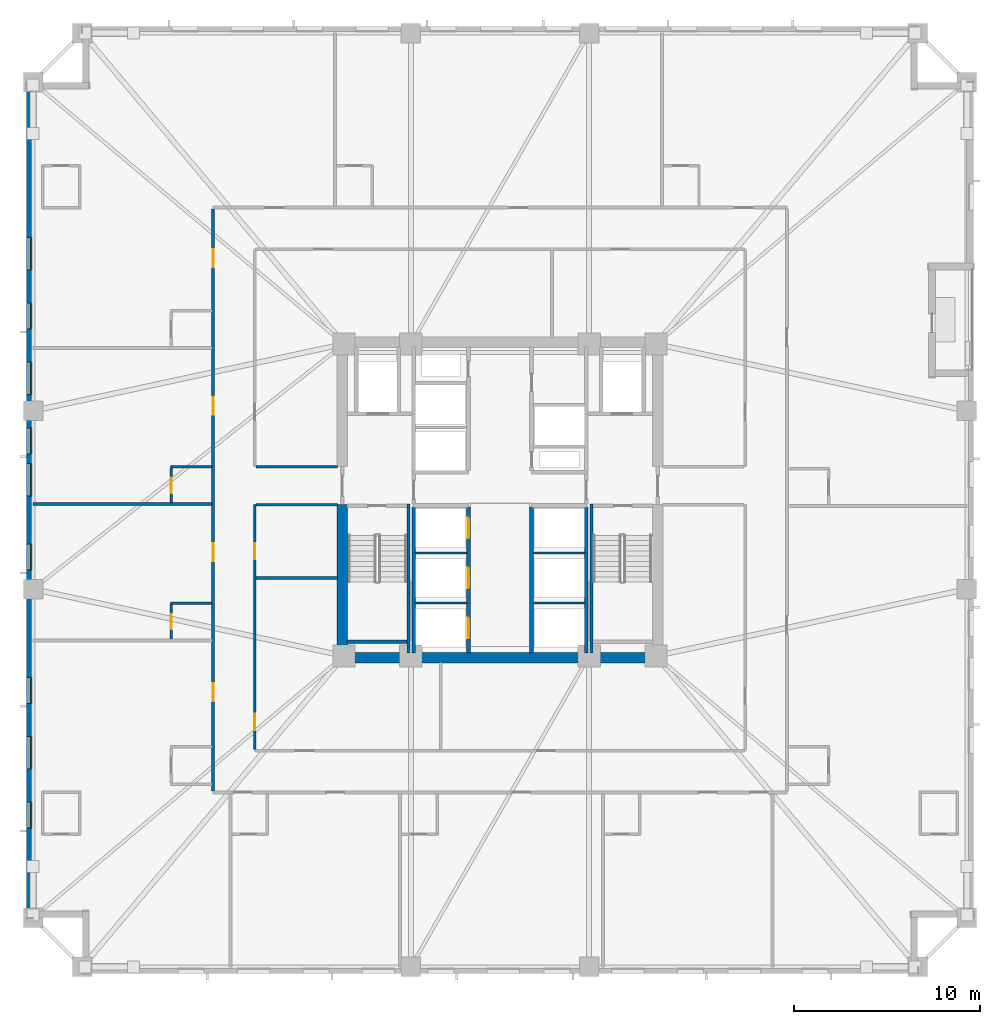
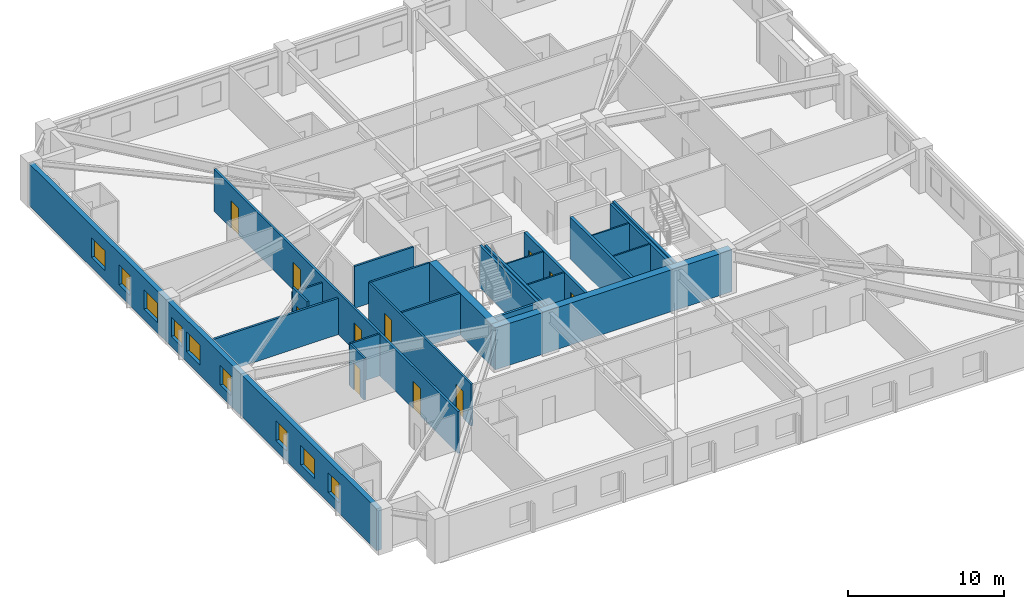
# One storey, part 3 of 12: 24 walls, 11 doors, 9 windows, 20 openings.
"""IFC4 building model written with IfcOpenShell, lengths in metres."""

from ifc_helpers import new_model, si_unit, direction, frame, frame_2d, origin, place, context, subcontext, project, spatial, rectangle, extrude, material, layer, layer_set, type_object, element, fill, save


model = new_model("IFC4")

# Units and contexts
model_context = context("Model", 3, precision=1e-05, world=origin(), true_north=direction((0.0, 1.0)))
body_context = subcontext(model_context, "Body", "Model", "MODEL_VIEW")
ifc_project = project(units=[si_unit("LENGTHUNIT", "METRE"), si_unit("AREAUNIT", "SQUARE_METRE"), si_unit("VOLUMEUNIT", "CUBIC_METRE"), si_unit("PLANEANGLEUNIT", "RADIAN"), si_unit("MASSUNIT", "GRAM", prefix="KILO")], contexts=[model_context])

# Site, building, storey
site_placement = place(None, origin())
site = spatial("IfcSite", under=ifc_project, at=site_placement, CompositionType="ELEMENT")
building_placement = place(site_placement, origin())
building = spatial("IfcBuilding", under=site, at=building_placement, Name="Cairnveth Concourse Tower", CompositionType="ELEMENT")
storey_placement = place(building_placement, frame((0.0, 0.0, 83.0)))
storey = spatial("IfcBuildingStorey", under=building, at=storey_placement, Name="L22", CompositionType="ELEMENT", Elevation=83.0)

# Wall, openings, doors
ifc_material_1 = material(Name="Gypsum Plasterboard Partition", Category="gypsum")
ifc_layer_1 = layer(ifc_material_1, 0.159912109375)
ifc_layer_set_1 = layer_set([ifc_layer_1], Name="Gypsum Plasterboard Partition")
wall_type_1 = type_object("IfcWallType", Name="ACOUSTIC PARTY WALL 180", PredefinedType="PARTITIONING", material=ifc_layer_set_1)
wall_1_placement = place(storey_placement, frame((36.550048828125, 23.31494140625, 0.0), z_axis=(0.0, 0.0, 1.0), x_axis=(0.0, 1.0, 0.0)))
wall_1 = element("IfcWall", 1, at=wall_1_placement, inside=storey, type_object=wall_type_1, Name="Interior Wall IW-L22-039", PredefinedType="PARTITIONING", context=body_context, shape_type="SweptSolid", body=[
    extrude(rectangle(XDim=31.3701171875, YDim=0.159912109375, at=frame_2d((15.68505859375, 0.0))), origin(), (0.0, 0.0, 1.0), 3.280029296875),
])
opening_1_placement = place(wall_1_placement, frame((4.848388671875, 0.0, 0.0)))
opening_1 = element("IfcOpeningElement", 2, at=opening_1_placement, cuts=wall_1, Name="Opening ID09", PredefinedType="OPENING", context=body_context, shape_type="SweptSolid", body=[
    extrude(rectangle(XDim=0.9599609375, YDim=2.14990234375, at=frame_2d((0.47998046875, 1.074951171875))), frame((0.0, 0.08984375, 0.0), z_axis=(0.0, -1.0, 0.0), x_axis=(1.0, 0.0, 0.0)), (0.0, 0.0, 1.0), 0.179931640625),
])
opening_2_placement = place(wall_1_placement, frame((12.390380859375, 0.0, 0.0)))
opening_2 = element("IfcOpeningElement", 3, at=opening_2_placement, cuts=wall_1, Name="Opening ID09", PredefinedType="OPENING", context=body_context, shape_type="SweptSolid", body=[
    extrude(rectangle(XDim=0.9599609375, YDim=2.14990234375, at=frame_2d((0.47998046875, 1.074951171875))), frame((0.0, 0.08984375, 0.0), z_axis=(0.0, -1.0, 0.0), x_axis=(1.0, 0.0, 0.0)), (0.0, 0.0, 1.0), 0.179931640625),
])
opening_3_placement = place(wall_1_placement, frame((20.265380859375, 0.0, 0.0)))
opening_3 = element("IfcOpeningElement", 4, at=opening_3_placement, cuts=wall_1, Name="Opening ID09", PredefinedType="OPENING", context=body_context, shape_type="SweptSolid", body=[
    extrude(rectangle(XDim=0.9599609375, YDim=2.14990234375, at=frame_2d((0.47998046875, 1.074951171875))), frame((0.0, 0.08984375, 0.0), z_axis=(0.0, -1.0, 0.0), x_axis=(1.0, 0.0, 0.0)), (0.0, 0.0, 1.0), 0.179931640625),
])
opening_4_placement = place(wall_1_placement, frame((28.223388671875, 0.0, 0.0)))
opening_4 = element("IfcOpeningElement", 5, at=opening_4_placement, cuts=wall_1, Name="Opening ID09", PredefinedType="OPENING", context=body_context, shape_type="SweptSolid", body=[
    extrude(rectangle(XDim=0.9599609375, YDim=2.14990234375, at=frame_2d((0.47998046875, 1.074951171875))), frame((0.0, 0.08984375, 0.0), z_axis=(0.0, -1.0, 0.0), x_axis=(1.0, 0.0, 0.0)), (0.0, 0.0, 1.0), 0.179931640625),
])
ifc_material_2 = material(Name="Solid Core Hardwood Timber Leaf", Category="wood")
door_type_1 = type_object("IfcDoorType", Name="HOTEL ENTRANCE DOOR 960X2150", OperationType="NOTDEFINED", PredefinedType="DOOR", material=ifc_material_2)
door_1_placement = place(opening_1_placement, origin())
door_1 = element("IfcDoor", 6, at=door_1_placement, inside=storey, type_object=door_type_1, Name="Hotel Room Door L22-W1", OperationType="SINGLE_SWING_LEFT", OverallHeight=2.14990234375, OverallWidth=0.9599609375, PredefinedType="DOOR", context=body_context, shape_type="SweptSolid", body=[
    extrude(rectangle(XDim=0.9599609375, YDim=2.14990234375, at=frame_2d((0.47998046875, 1.074951171875))), frame((0.0, 0.02490234375, 0.0), z_axis=(0.0, -1.0, 0.0), x_axis=(1.0, 0.0, 0.0)), (0.0, 0.0, 1.0), 0.050048828125),
])
fill(opening_1, door_1)
door_2_placement = place(opening_2_placement, origin())
door_2 = element("IfcDoor", 7, at=door_2_placement, inside=storey, type_object=door_type_1, Name="Hotel Room Door L22-W2", OperationType="SINGLE_SWING_LEFT", OverallHeight=2.14990234375, OverallWidth=0.9599609375, PredefinedType="DOOR", context=body_context, shape_type="SweptSolid", body=[
    extrude(rectangle(XDim=0.9599609375, YDim=2.14990234375, at=frame_2d((0.47998046875, 1.074951171875))), frame((0.0, 0.02490234375, 0.0), z_axis=(0.0, -1.0, 0.0), x_axis=(1.0, 0.0, 0.0)), (0.0, 0.0, 1.0), 0.050048828125),
])
fill(opening_2, door_2)
door_3_placement = place(opening_3_placement, origin())
door_3 = element("IfcDoor", 8, at=door_3_placement, inside=storey, type_object=door_type_1, Name="Hotel Room Door L22-W3", OperationType="SINGLE_SWING_LEFT", OverallHeight=2.14990234375, OverallWidth=0.9599609375, PredefinedType="DOOR", context=body_context, shape_type="SweptSolid", body=[
    extrude(rectangle(XDim=0.9599609375, YDim=2.14990234375, at=frame_2d((0.47998046875, 1.074951171875))), frame((0.0, 0.02490234375, 0.0), z_axis=(0.0, -1.0, 0.0), x_axis=(1.0, 0.0, 0.0)), (0.0, 0.0, 1.0), 0.050048828125),
])
fill(opening_3, door_3)
door_4_placement = place(opening_4_placement, origin())
door_4 = element("IfcDoor", 9, at=door_4_placement, inside=storey, type_object=door_type_1, Name="Hotel Room Door L22-W4", OperationType="SINGLE_SWING_LEFT", OverallHeight=2.14990234375, OverallWidth=0.9599609375, PredefinedType="DOOR", context=body_context, shape_type="SweptSolid", body=[
    extrude(rectangle(XDim=0.9599609375, YDim=2.14990234375, at=frame_2d((0.47998046875, 1.074951171875))), frame((0.0, 0.02490234375, 0.0), z_axis=(0.0, -1.0, 0.0), x_axis=(1.0, 0.0, 0.0)), (0.0, 0.0, 1.0), 0.050048828125),
])
fill(opening_4, door_4)

# Walls
wall_2_placement = place(storey_placement, frame((26.844970703125, 38.783935546875, 0.0), z_axis=(0.0, 0.0, 1.0), x_axis=(1.0, 0.0, 0.0)))
element("IfcWall", 10, at=wall_2_placement, inside=storey, type_object=wall_type_1, Name="Interior Wall IW-L22-088", PredefinedType="PARTITIONING", context=body_context, shape_type="SweptSolid", body=[
    extrude(rectangle(XDim=9.64013671875, YDim=0.159912109375, at=frame_2d((4.820068359375, 0.0))), origin(), (0.0, 0.0, 1.0), 2.84912109375),
])
ifc_material_3 = material(Name="Concrete N80 (80 MPa)", Category="concrete")
ifc_layer_2 = layer(ifc_material_3, 0.550048828125)
ifc_layer_set_2 = layer_set([ifc_layer_2], Name="Concrete N80 (80 MPa)")
wall_type_2 = type_object("IfcWallType", Name="CORE SHEAR WALL 550", PredefinedType="SHEAR", material=ifc_layer_set_2)
wall_3_placement = place(storey_placement, frame((43.22509765625, 30.5, 0.0), z_axis=(0.0, 0.0, 1.0), x_axis=(1.0, 0.0, 0.0)))
element("IfcWall", 11, at=wall_3_placement, inside=storey, type_object=wall_type_2, Name="Core South Shear Wall L22", PredefinedType="SHEAR", context=body_context, shape_type="SweptSolid", body=[
    extrude(rectangle(XDim=17.5498046875, YDim=0.550048828125, at=frame_2d((8.77490234375, 0.0))), origin(), (0.0, 0.0, 1.0), 3.280029296875),
])
wall_4_placement = place(storey_placement, frame((43.5, 30.764892578125, 0.0), z_axis=(0.0, 0.0, 1.0), x_axis=(0.0, 1.0, 0.0)))
element("IfcWall", 12, at=wall_4_placement, inside=storey, type_object=wall_type_2, Name="Core West Shear Wall S L22", PredefinedType="SHEAR", context=body_context, shape_type="SweptSolid", body=[
    extrude(rectangle(XDim=7.985107421875, YDim=0.550048828125, at=frame_2d((3.99267578125, 0.0))), origin(), (0.0, 0.0, 1.0), 3.280029296875),
])
ifc_material_4 = material(Name="Concrete N50 (50 MPa)", Category="concrete")
ifc_layer_3 = layer(ifc_material_4, 0.179931640625)
ifc_layer_set_3 = layer_set([ifc_layer_3], Name="Concrete N50 (50 MPa)")
wall_type_3 = type_object("IfcWallType", Name="FIRE SHAFT WALL 180", PredefinedType="SOLIDWALL", material=ifc_layer_set_3)
for number, where, z_axis, x_axis, name in (
    (13, (47.35009765625, 30.760009765625, 0.0), (0.0, 0.0, 1.0), (0.0, 1.0, 0.0), "Interior Wall IW-L22-025"),
    (14, (56.64990234375, 30.760009765625, 0.0), (0.0, 0.0, 1.0), (0.0, 1.0, 0.0), "Interior Wall IW-L22-028"),
):
    element("IfcWall", number, at=place(storey_placement, frame(where, z_axis=z_axis, x_axis=x_axis)), inside=storey, type_object=wall_type_3, Name=name, PredefinedType="SOLIDWALL", context=body_context, shape_type="SweptSolid", body=[
        extrude(rectangle(XDim=7.85498046875, YDim=0.179931640625, at=frame_2d((3.927490234375, 0.0))), origin(), (0.0, 0.0, 1.0), 3.280029296875),
    ])
wall_5_placement = place(storey_placement, frame((43.764892578125, 31.360107421875, 0.0), z_axis=(0.0, 0.0, 1.0), x_axis=(1.0, 0.0, 0.0)))
element("IfcWall", 15, at=wall_5_placement, inside=storey, type_object=wall_type_3, Name="Stair ST-1 Shaft Wall FAR L22", PredefinedType="SOLIDWALL", context=body_context, shape_type="SweptSolid", body=[
    extrude(rectangle(XDim=3.230224609375, YDim=0.179931640625, at=frame_2d((1.615234375, 0.0))), origin(), (0.0, 0.0, 1.0), 3.280029296875),
])
for number, where, z_axis, x_axis, name in (
    (16, (47.070068359375, 38.780029296875, 0.0), (0.0, 0.0, 1.0), (0.0, -1.0, 0.0), "Stair ST-1 Shaft Wall RGHT L22"),
    (17, (56.929931640625, 38.780029296875, 0.0), (0.0, 0.0, 1.0), (0.0, -1.0, 0.0), "Stair ST-2 Shaft Wall LEFT L22"),
):
    element("IfcWall", number, at=place(storey_placement, frame(where, z_axis=z_axis, x_axis=x_axis)), inside=storey, type_object=wall_type_3, Name=name, PredefinedType="SOLIDWALL", context=body_context, shape_type="SweptSolid", body=[
        extrude(rectangle(XDim=8.01708984375, YDim=0.179931640625, at=frame_2d((4.008544921875, 0.0))), origin(), (0.0, 0.0, 1.0), 3.280029296875),
    ])

# Wall, openings, doors
ifc_layer_4 = layer(ifc_material_4, 0.199951171875)
ifc_layer_set_4 = layer_set([ifc_layer_4], Name="Concrete N50 (50 MPa)")
wall_type_4 = type_object("IfcWallType", Name="FIRE SHAFT WALL 200", PredefinedType="SOLIDWALL", material=ifc_layer_set_4)
wall_6_placement = place(storey_placement, frame((50.300048828125, 30.760009765625, 0.0), z_axis=(0.0, 0.0, 1.0), x_axis=(0.0, 1.0, 0.0)))
wall_6 = element("IfcWall", 18, at=wall_6_placement, inside=storey, type_object=wall_type_4, Name="Interior Wall IW-L22-011", PredefinedType="SOLIDWALL", context=body_context, shape_type="SweptSolid", body=[
    extrude(rectangle(XDim=7.85498046875, YDim=0.199951171875, at=frame_2d((3.927490234375, 0.0))), origin(), (0.0, 0.0, 1.0), 3.280029296875),
])
opening_5_placement = place(wall_6_placement, frame((0.7900390625, 0.0, 0.0)))
opening_5 = element("IfcOpeningElement", 19, at=opening_5_placement, cuts=wall_6, Name="Opening LD-1", PredefinedType="OPENING", context=body_context, shape_type="SweptSolid", body=[
    extrude(rectangle(XDim=1.10009765625, YDim=2.199951171875, at=frame_2d((0.550048828125, 1.10009765625))), frame((0.0, 0.10986328125, 0.0), z_axis=(0.0, -1.0, 0.0), x_axis=(1.0, 0.0, 0.0)), (0.0, 0.0, 1.0), 0.219970703125),
])
opening_6_placement = place(wall_6_placement, frame((3.489990234375, 0.0, 0.0)))
opening_6 = element("IfcOpeningElement", 20, at=opening_6_placement, cuts=wall_6, Name="Opening LD-1", PredefinedType="OPENING", context=body_context, shape_type="SweptSolid", body=[
    extrude(rectangle(XDim=1.10009765625, YDim=2.199951171875, at=frame_2d((0.550048828125, 1.10009765625))), frame((0.0, 0.10986328125, 0.0), z_axis=(0.0, -1.0, 0.0), x_axis=(1.0, 0.0, 0.0)), (0.0, 0.0, 1.0), 0.219970703125),
])
opening_7_placement = place(wall_6_placement, frame((6.18994140625, 0.0, 0.0)))
opening_7 = element("IfcOpeningElement", 21, at=opening_7_placement, cuts=wall_6, Name="Opening LD-1", PredefinedType="OPENING", context=body_context, shape_type="SweptSolid", body=[
    extrude(rectangle(XDim=1.10009765625, YDim=2.199951171875, at=frame_2d((0.550048828125, 1.10009765625))), frame((0.0, 0.10986328125, 0.0), z_axis=(0.0, -1.0, 0.0), x_axis=(1.0, 0.0, 0.0)), (0.0, 0.0, 1.0), 0.219970703125),
])
ifc_material_5 = material(Name="Architectural Bronze Anodised Aluminium 6063-T6", Category="aluminium")
door_type_2 = type_object("IfcDoorType", Name="LIFT LANDING DOOR 1100X2200", OperationType="SLIDING_TO_LEFT", PredefinedType="DOOR", material=ifc_material_5)
door_5_placement = place(opening_5_placement, origin())
door_5 = element("IfcDoor", 22, at=door_5_placement, inside=storey, type_object=door_type_2, Name="Lift PL1 Landing Door L22", OperationType="SLIDING_TO_LEFT", OverallHeight=2.199951171875, OverallWidth=1.10009765625, PredefinedType="DOOR", context=body_context, shape_type="SweptSolid", body=[
    extrude(rectangle(XDim=1.10009765625, YDim=2.199951171875, at=frame_2d((0.550048828125, 1.10009765625))), frame((0.0, 0.02490234375, 0.0), z_axis=(0.0, -1.0, 0.0), x_axis=(1.0, 0.0, 0.0)), (0.0, 0.0, 1.0), 0.050048828125),
])
fill(opening_5, door_5)
door_6_placement = place(opening_6_placement, origin())
door_6 = element("IfcDoor", 23, at=door_6_placement, inside=storey, type_object=door_type_2, Name="Lift PL2 Landing Door L22", OperationType="SLIDING_TO_LEFT", OverallHeight=2.199951171875, OverallWidth=1.10009765625, PredefinedType="DOOR", context=body_context, shape_type="SweptSolid", body=[
    extrude(rectangle(XDim=1.10009765625, YDim=2.199951171875, at=frame_2d((0.550048828125, 1.10009765625))), frame((0.0, 0.02490234375, 0.0), z_axis=(0.0, -1.0, 0.0), x_axis=(1.0, 0.0, 0.0)), (0.0, 0.0, 1.0), 0.050048828125),
])
fill(opening_6, door_6)
door_7_placement = place(opening_7_placement, origin())
door_7 = element("IfcDoor", 24, at=door_7_placement, inside=storey, type_object=door_type_2, Name="Lift PL3 Landing Door L22", OperationType="SLIDING_TO_LEFT", OverallHeight=2.199951171875, OverallWidth=1.10009765625, PredefinedType="DOOR", context=body_context, shape_type="SweptSolid", body=[
    extrude(rectangle(XDim=1.10009765625, YDim=2.199951171875, at=frame_2d((0.550048828125, 1.10009765625))), frame((0.0, 0.02490234375, 0.0), z_axis=(0.0, -1.0, 0.0), x_axis=(1.0, 0.0, 0.0)), (0.0, 0.0, 1.0), 0.050048828125),
])
fill(opening_7, door_7)

# Wall
wall_7_placement = place(storey_placement, frame((53.699951171875, 30.760009765625, 0.0), z_axis=(0.0, 0.0, 1.0), x_axis=(0.0, 1.0, 0.0)))
element("IfcWall", 25, at=wall_7_placement, inside=storey, type_object=wall_type_4, Name="Interior Wall IW-L22-012", PredefinedType="SOLIDWALL", context=body_context, shape_type="SweptSolid", body=[
    extrude(rectangle(XDim=7.85498046875, YDim=0.199951171875, at=frame_2d((3.927490234375, 0.0))), origin(), (0.0, 0.0, 1.0), 3.280029296875),
])

# Wall, openings, doors
ifc_layer_5 = layer(ifc_material_1, 0.139892578125)
ifc_layer_set_5 = layer_set([ifc_layer_5], Name="Gypsum Plasterboard Partition")
wall_type_5 = type_object("IfcWallType", Name="GYPSUM STUD PARTITION 140", PredefinedType="PARTITIONING", material=ifc_layer_set_5)
wall_8_placement = place(storey_placement, frame((38.800048828125, 25.554931640625, 0.0), z_axis=(0.0, 0.0, 1.0), x_axis=(0.0, 1.0, 0.0)))
wall_8 = element("IfcWall", 26, at=wall_8_placement, inside=storey, type_object=wall_type_5, Name="Interior Wall IW-L22-043", PredefinedType="PARTITIONING", context=body_context, shape_type="SweptSolid", body=[
    extrude(rectangle(XDim=13.195068359375, YDim=0.139892578125, at=frame_2d((6.59765625, 0.0))), origin(), (0.0, 0.0, 1.0), 3.280029296875),
])
opening_8_placement = place(wall_8_placement, frame((1.044921875, 0.0, 0.0)))
opening_8 = element("IfcOpeningElement", 27, at=opening_8_placement, cuts=wall_8, Name="Opening ID18", PredefinedType="OPENING", context=body_context, shape_type="SweptSolid", body=[
    extrude(rectangle(XDim=0.8798828125, YDim=2.10009765625, at=frame_2d((0.43994140625, 1.050048828125))), frame((0.0, 0.079833984375, 0.0), z_axis=(0.0, -1.0, 0.0), x_axis=(1.0, 0.0, 0.0)), (0.0, 0.0, 1.0), 0.159912109375),
])
opening_9_placement = place(wall_8_placement, frame((10.2451171875, 0.0, 0.0)))
opening_9 = element("IfcOpeningElement", 28, at=opening_9_placement, cuts=wall_8, Name="Opening ID18", PredefinedType="OPENING", context=body_context, shape_type="SweptSolid", body=[
    extrude(rectangle(XDim=0.8798828125, YDim=2.10009765625, at=frame_2d((0.43994140625, 1.050048828125))), frame((0.0, 0.079833984375, 0.0), z_axis=(0.0, -1.0, 0.0), x_axis=(1.0, 0.0, 0.0)), (0.0, 0.0, 1.0), 0.159912109375),
])
door_type_3 = type_object("IfcDoorType", Name="INTERIOR SINGLE DOOR 880X2100", OperationType="NOTDEFINED", PredefinedType="DOOR", material=ifc_material_2)
door_8_placement = place(opening_8_placement, origin())
door_8 = element("IfcDoor", 29, at=door_8_placement, inside=storey, type_object=door_type_3, Name="Interior Door DR-L22-017", OperationType="SINGLE_SWING_LEFT", OverallHeight=2.10009765625, OverallWidth=0.8798828125, PredefinedType="DOOR", context=body_context, shape_type="SweptSolid", body=[
    extrude(rectangle(XDim=0.8798828125, YDim=2.10009765625, at=frame_2d((0.43994140625, 1.050048828125))), frame((0.0, 0.02490234375, 0.0), z_axis=(0.0, -1.0, 0.0), x_axis=(1.0, 0.0, 0.0)), (0.0, 0.0, 1.0), 0.050048828125),
])
fill(opening_8, door_8)
door_9_placement = place(opening_9_placement, origin())
door_9 = element("IfcDoor", 30, at=door_9_placement, inside=storey, type_object=door_type_3, Name="Interior Door DR-L22-018", OperationType="SINGLE_SWING_RIGHT", OverallHeight=2.10009765625, OverallWidth=0.8798828125, PredefinedType="DOOR", context=body_context, shape_type="SweptSolid", body=[
    extrude(rectangle(XDim=0.8798828125, YDim=2.10009765625, at=frame_2d((0.43994140625, 1.050048828125))), frame((0.0, 0.02490234375, 0.0), z_axis=(0.0, -1.0, 0.0), x_axis=(1.0, 0.0, 0.0)), (0.0, 0.0, 1.0), 0.050048828125),
])
fill(opening_9, door_9)

# Walls
for number, where, z_axis, x_axis, name in (
    (31, (38.85498046875, 38.75, 0.0), (0.0, 0.0, 1.0), (1.0, 0.0, 0.0), "Interior Wall IW-L22-045"),
    (32, (38.85498046875, 40.800048828125, 0.0), (0.0, 0.0, 1.0), (1.0, 0.0, 0.0), "Interior Wall IW-L22-046"),
    (33, (38.85498046875, 34.800048828125, 0.0), (0.0, 0.0, 1.0), (1.0, 0.0, 0.0), "Interior Wall IW-L22-053"),
):
    element("IfcWall", number, at=place(storey_placement, frame(where, z_axis=z_axis, x_axis=x_axis)), inside=storey, type_object=wall_type_5, Name=name, PredefinedType="PARTITIONING", context=body_context, shape_type="SweptSolid", body=[
        extrude(rectangle(XDim=4.385009765625, YDim=0.139892578125, at=frame_2d((2.1923828125, 0.0))), origin(), (0.0, 0.0, 1.0), 3.280029296875),
    ])
ifc_layer_6 = layer(ifc_material_1, 0.110107421875)
ifc_layer_set_6 = layer_set([ifc_layer_6], Name="Gypsum Plasterboard Partition")
wall_type_6 = type_object("IfcWallType", Name="SHAFT DIVIDER WALL 140", PredefinedType="PARTITIONING", material=ifc_layer_set_6)
for number, where, z_axis, x_axis, name in (
    (34, (47.425048828125, 33.449951171875, 0.0), (0.0, 0.0, 1.0), (1.0, 0.0, 0.0), "Interior Wall IW-L22-026"),
    (35, (47.425048828125, 36.14990234375, 0.0), (0.0, 0.0, 1.0), (1.0, 0.0, 0.0), "Interior Wall IW-L22-027"),
    (36, (53.784912109375, 33.449951171875, 0.0), (0.0, 0.0, 1.0), (1.0, 0.0, 0.0), "Interior Wall IW-L22-029"),
    (37, (53.784912109375, 36.14990234375, 0.0), (0.0, 0.0, 1.0), (1.0, 0.0, 0.0), "Interior Wall IW-L22-030"),
):
    element("IfcWall", number, at=place(storey_placement, frame(where, z_axis=z_axis, x_axis=x_axis)), inside=storey, type_object=wall_type_6, Name=name, PredefinedType="PARTITIONING", context=body_context, shape_type="SweptSolid", body=[
        extrude(rectangle(XDim=2.7900390625, YDim=0.110107421875, at=frame_2d((1.39501953125, 0.0))), origin(), (0.0, 0.0, 1.0), 3.280029296875),
    ])
ifc_layer_7 = layer(ifc_material_1, 0.1298828125)
ifc_layer_set_7 = layer_set([ifc_layer_7], Name="Gypsum Plasterboard Partition")
wall_type_7 = type_object("IfcWallType", Name="WET AREA PARTITION 140", PredefinedType="PLUMBINGWALL", material=ifc_layer_set_7)
wall_9_placement = place(storey_placement, frame((34.25, 33.43701171875, 0.0), z_axis=(0.0, 0.0, 1.0), x_axis=(1.0, 0.0, 0.0)))
element("IfcWall", 38, at=wall_9_placement, inside=storey, type_object=wall_type_7, Name="Interior Wall IW-L22-086", PredefinedType="PLUMBINGWALL", context=body_context, shape_type="SweptSolid", body=[
    extrude(rectangle(XDim=2.235107421875, YDim=0.1298828125, at=frame_2d((1.11767578125, 0.0))), origin(), (0.0, 0.0, 1.0), 3.280029296875),
])

# Wall, opening, door
wall_10_placement = place(storey_placement, frame((34.300048828125, 31.501953125, 0.0), z_axis=(0.0, 0.0, 1.0), x_axis=(0.0, 1.0, 0.0)))
wall_10 = element("IfcWall", 39, at=wall_10_placement, inside=storey, type_object=wall_type_7, Name="Interior Wall IW-L22-087", PredefinedType="PLUMBINGWALL", context=body_context, shape_type="SweptSolid", body=[
    extrude(rectangle(XDim=1.885009765625, YDim=0.1298828125, at=frame_2d((0.9423828125, 0.0))), origin(), (0.0, 0.0, 1.0), 3.280029296875),
])
opening_10_placement = place(wall_10_placement, frame((0.52490234375, 0.0, 0.0)))
opening_10 = element("IfcOpeningElement", 40, at=opening_10_placement, cuts=wall_10, Name="Opening ID22", PredefinedType="OPENING", context=body_context, shape_type="SweptSolid", body=[
    extrude(rectangle(XDim=0.820068359375, YDim=2.10009765625, at=frame_2d((0.41015625, 1.050048828125))), frame((0.0, 0.074951171875, 0.0), z_axis=(0.0, -1.0, 0.0), x_axis=(1.0, 0.0, 0.0)), (0.0, 0.0, 1.0), 0.14990234375),
])
door_type_4 = type_object("IfcDoorType", Name="INTERIOR WC DOOR 820X2100", OperationType="NOTDEFINED", PredefinedType="DOOR", material=ifc_material_2)
door_10_placement = place(opening_10_placement, origin())
door_10 = element("IfcDoor", 41, at=door_10_placement, inside=storey, type_object=door_type_4, Name="En-Suite Door L22-W2", OperationType="SINGLE_SWING_RIGHT", OverallHeight=2.10009765625, OverallWidth=0.820068359375, PredefinedType="DOOR", context=body_context, shape_type="SweptSolid", body=[
    extrude(rectangle(XDim=0.820068359375, YDim=2.10009765625, at=frame_2d((0.41015625, 1.050048828125))), frame((0.0, 0.02490234375, 0.0), z_axis=(0.0, -1.0, 0.0), x_axis=(1.0, 0.0, 0.0)), (0.0, 0.0, 1.0), 0.050048828125),
])
fill(opening_10, door_10)

# Wall
wall_11_placement = place(storey_placement, frame((34.25, 40.783935546875, 0.0), z_axis=(0.0, 0.0, 1.0), x_axis=(1.0, 0.0, 0.0)))
element("IfcWall", 42, at=wall_11_placement, inside=storey, type_object=wall_type_7, Name="Interior Wall IW-L22-089", PredefinedType="PLUMBINGWALL", context=body_context, shape_type="SweptSolid", body=[
    extrude(rectangle(XDim=2.235107421875, YDim=0.1298828125, at=frame_2d((1.11767578125, 0.0))), origin(), (0.0, 0.0, 1.0), 2.84912109375),
])

# Wall, opening, door
wall_12_placement = place(storey_placement, frame((34.300048828125, 38.84912109375, 0.0), z_axis=(0.0, 0.0, 1.0), x_axis=(0.0, 1.0, 0.0)))
wall_12 = element("IfcWall", 43, at=wall_12_placement, inside=storey, type_object=wall_type_7, Name="Interior Wall IW-L22-090", PredefinedType="PLUMBINGWALL", context=body_context, shape_type="SweptSolid", body=[
    extrude(rectangle(XDim=1.884765625, YDim=0.1298828125, at=frame_2d((0.9423828125, 0.0))), origin(), (0.0, 0.0, 1.0), 3.280029296875),
])
opening_11_placement = place(wall_12_placement, frame((0.52490234375, 0.0, 0.0)))
opening_11 = element("IfcOpeningElement", 44, at=opening_11_placement, cuts=wall_12, Name="Opening ID22", PredefinedType="OPENING", context=body_context, shape_type="SweptSolid", body=[
    extrude(rectangle(XDim=0.820068359375, YDim=2.10009765625, at=frame_2d((0.41015625, 1.050048828125))), frame((0.0, 0.074951171875, 0.0), z_axis=(0.0, -1.0, 0.0), x_axis=(1.0, 0.0, 0.0)), (0.0, 0.0, 1.0), 0.14990234375),
])
door_11_placement = place(opening_11_placement, origin())
door_11 = element("IfcDoor", 45, at=door_11_placement, inside=storey, type_object=door_type_4, Name="En-Suite Door L22-W3", OperationType="SINGLE_SWING_RIGHT", OverallHeight=2.10009765625, OverallWidth=0.820068359375, PredefinedType="DOOR", context=body_context, shape_type="SweptSolid", body=[
    extrude(rectangle(XDim=0.820068359375, YDim=2.10009765625, at=frame_2d((0.41015625, 1.050048828125))), frame((0.0, 0.02490234375, 0.0), z_axis=(0.0, -1.0, 0.0), x_axis=(1.0, 0.0, 0.0)), (0.0, 0.0, 1.0), 0.050048828125),
])
fill(opening_11, door_11)

# Wall, openings, windows
ifc_material_6 = material(Name="Hawthorn Red-Ochre Fired Clay Brick Masonry", Category="masonry")
ifc_layer_8 = layer(ifc_material_6, 0.360107421875)
ifc_layer_set_8 = layer_set([ifc_layer_8], Name="Hawthorn Red-Ochre Fired Clay Brick Masonry")
wall_type_8 = type_object("IfcWallType", Name="ZONE 1 BRICK PIER SPANDREL WALL 360", PredefinedType="SOLIDWALL", material=ifc_layer_set_8)
wall_13_placement = place(storey_placement, frame((26.679931640625, 16.5, 0.0), z_axis=(0.0, 0.0, 1.0), x_axis=(0.0, 1.0, 0.0)))
wall_13 = element("IfcWall", 46, at=wall_13_placement, inside=storey, type_object=wall_type_8, Name="Exterior Wall EW-L22-S06", PredefinedType="SOLIDWALL", context=body_context, shape_type="SweptSolid", body=[
    extrude(rectangle(XDim=44.662109375, YDim=0.360107421875, at=frame_2d((22.3310546875, 0.0))), origin(), (0.0, 0.0, 1.0), 3.280029296875),
])
opening_12_placement = place(wall_13_placement, frame((4.830078125, 0.0, 0.800048828125)))
opening_12 = element("IfcOpeningElement", 47, at=opening_12_placement, cuts=wall_13, Name="Opening W05", PredefinedType="OPENING", context=body_context, shape_type="SweptSolid", body=[
    extrude(rectangle(XDim=1.39990234375, YDim=1.5439453125, at=frame_2d((0.699951171875, 0.77197265625))), frame((0.0, 0.18994140625, 0.0), z_axis=(0.0, -1.0, 0.0), x_axis=(1.0, 0.0, 0.0)), (0.0, 0.0, 1.0), 0.380126953125),
])
opening_13_placement = place(wall_13_placement, frame((8.015380859375, 0.0, 0.800048828125)))
opening_13 = element("IfcOpeningElement", 48, at=opening_13_placement, cuts=wall_13, Name="Opening W06", PredefinedType="OPENING", context=body_context, shape_type="SweptSolid", body=[
    extrude(rectangle(XDim=1.75, YDim=1.5439453125, at=frame_2d((0.875, 0.77197265625))), frame((0.0, 0.18994140625, 0.0), z_axis=(0.0, -1.0, 0.0), x_axis=(1.0, 0.0, 0.0)), (0.0, 0.0, 1.0), 0.380126953125),
])
opening_14_placement = place(wall_13_placement, frame((11.550537109375, 0.0, 0.800048828125)))
opening_14 = element("IfcOpeningElement", 49, at=opening_14_placement, cuts=wall_13, Name="Opening W05", PredefinedType="OPENING", context=body_context, shape_type="SweptSolid", body=[
    extrude(rectangle(XDim=1.39990234375, YDim=1.5439453125, at=frame_2d((0.699951171875, 0.77197265625))), frame((0.0, 0.18994140625, 0.0), z_axis=(0.0, -1.0, 0.0), x_axis=(1.0, 0.0, 0.0)), (0.0, 0.0, 1.0), 0.380126953125),
])
opening_15_placement = place(wall_13_placement, frame((18.720703125, 0.0, 0.800048828125)))
opening_15 = element("IfcOpeningElement", 50, at=opening_15_placement, cuts=wall_13, Name="Opening W05", PredefinedType="OPENING", context=body_context, shape_type="SweptSolid", body=[
    extrude(rectangle(XDim=1.39990234375, YDim=1.5439453125, at=frame_2d((0.699951171875, 0.77197265625))), frame((0.0, 0.18994140625, 0.0), z_axis=(0.0, -1.0, 0.0), x_axis=(1.0, 0.0, 0.0)), (0.0, 0.0, 1.0), 0.380126953125),
])
opening_16_placement = place(wall_13_placement, frame((22.7060546875, 0.0, 0.800048828125)))
opening_16 = element("IfcOpeningElement", 51, at=opening_16_placement, cuts=wall_13, Name="Opening W06", PredefinedType="OPENING", context=body_context, shape_type="SweptSolid", body=[
    extrude(rectangle(XDim=1.75, YDim=1.5439453125, at=frame_2d((0.875, 0.77197265625))), frame((0.0, 0.18994140625, 0.0), z_axis=(0.0, -1.0, 0.0), x_axis=(1.0, 0.0, 0.0)), (0.0, 0.0, 1.0), 0.380126953125),
])
opening_17_placement = place(wall_13_placement, frame((24.9912109375, 0.0, 0.800048828125)))
opening_17 = element("IfcOpeningElement", 52, at=opening_17_placement, cuts=wall_13, Name="Opening W05", PredefinedType="OPENING", context=body_context, shape_type="SweptSolid", body=[
    extrude(rectangle(XDim=1.39990234375, YDim=1.5439453125, at=frame_2d((0.699951171875, 0.77197265625))), frame((0.0, 0.18994140625, 0.0), z_axis=(0.0, -1.0, 0.0), x_axis=(1.0, 0.0, 0.0)), (0.0, 0.0, 1.0), 0.380126953125),
])
opening_18_placement = place(wall_13_placement, frame((28.176513671875, 0.0, 0.800048828125)))
opening_18 = element("IfcOpeningElement", 53, at=opening_18_placement, cuts=wall_13, Name="Opening W06", PredefinedType="OPENING", context=body_context, shape_type="SweptSolid", body=[
    extrude(rectangle(XDim=1.75, YDim=1.5439453125, at=frame_2d((0.875, 0.77197265625))), frame((0.0, 0.18994140625, 0.0), z_axis=(0.0, -1.0, 0.0), x_axis=(1.0, 0.0, 0.0)), (0.0, 0.0, 1.0), 0.380126953125),
])
opening_19_placement = place(wall_13_placement, frame((31.71142578125, 0.0, 0.800048828125)))
opening_19 = element("IfcOpeningElement", 54, at=opening_19_placement, cuts=wall_13, Name="Opening W05", PredefinedType="OPENING", context=body_context, shape_type="SweptSolid", body=[
    extrude(rectangle(XDim=1.39990234375, YDim=1.5439453125, at=frame_2d((0.699951171875, 0.77197265625))), frame((0.0, 0.18994140625, 0.0), z_axis=(0.0, -1.0, 0.0), x_axis=(1.0, 0.0, 0.0)), (0.0, 0.0, 1.0), 0.380126953125),
])
opening_20_placement = place(wall_13_placement, frame((34.896728515625, 0.0, 0.800048828125)))
opening_20 = element("IfcOpeningElement", 55, at=opening_20_placement, cuts=wall_13, Name="Opening W06", PredefinedType="OPENING", context=body_context, shape_type="SweptSolid", body=[
    extrude(rectangle(XDim=1.75, YDim=1.5439453125, at=frame_2d((0.875, 0.77197265625))), frame((0.0, 0.18994140625, 0.0), z_axis=(0.0, -1.0, 0.0), x_axis=(1.0, 0.0, 0.0)), (0.0, 0.0, 1.0), 0.380126953125),
])
ifc_material_7 = material(Name="Double Glazed Low-E Clear Glass", Category="glass")
window_type_1 = type_object("IfcWindowType", Name="DEEP-SET HOTEL CASEMENT WINDOW 1400X1750", PartitioningType="DOUBLE_PANEL_VERTICAL", PredefinedType="WINDOW", material=ifc_material_7)
window_1_placement = place(opening_12_placement, origin())
window_1 = element("IfcWindow", 56, at=window_1_placement, inside=storey, type_object=window_type_1, Name="Gothic Lancet Window L22-6-1", OverallHeight=1.5439453125, OverallWidth=1.39990234375, PartitioningType="SINGLE_PANEL", PredefinedType="WINDOW", context=body_context, shape_type="SweptSolid", body=[
    extrude(rectangle(XDim=1.39990234375, YDim=1.5439453125, at=frame_2d((0.699951171875, 0.77197265625))), frame((0.0, -0.050048828125, 0.0), z_axis=(0.0, -1.0, 0.0), x_axis=(1.0, 0.0, 0.0)), (0.0, 0.0, 1.0), 0.06005859375),
])
fill(opening_12, window_1)
window_2_placement = place(opening_14_placement, origin())
window_2 = element("IfcWindow", 57, at=window_2_placement, inside=storey, type_object=window_type_1, Name="Gothic Lancet Window L22-6-3", OverallHeight=1.5439453125, OverallWidth=1.39990234375, PartitioningType="SINGLE_PANEL", PredefinedType="WINDOW", context=body_context, shape_type="SweptSolid", body=[
    extrude(rectangle(XDim=1.39990234375, YDim=1.5439453125, at=frame_2d((0.699951171875, 0.77197265625))), frame((0.0, -0.050048828125, 0.0), z_axis=(0.0, -1.0, 0.0), x_axis=(1.0, 0.0, 0.0)), (0.0, 0.0, 1.0), 0.06005859375),
])
fill(opening_14, window_2)
window_3_placement = place(opening_15_placement, origin())
window_3 = element("IfcWindow", 58, at=window_3_placement, inside=storey, type_object=window_type_1, Name="Gothic Lancet Window L22-6-5", OverallHeight=1.5439453125, OverallWidth=1.39990234375, PartitioningType="SINGLE_PANEL", PredefinedType="WINDOW", context=body_context, shape_type="SweptSolid", body=[
    extrude(rectangle(XDim=1.39990234375, YDim=1.5439453125, at=frame_2d((0.699951171875, 0.77197265625))), frame((0.0, -0.050048828125, 0.0), z_axis=(0.0, -1.0, 0.0), x_axis=(1.0, 0.0, 0.0)), (0.0, 0.0, 1.0), 0.06005859375),
])
fill(opening_15, window_3)
window_4_placement = place(opening_17_placement, origin())
window_4 = element("IfcWindow", 59, at=window_4_placement, inside=storey, type_object=window_type_1, Name="Gothic Lancet Window L22-6-7", OverallHeight=1.5439453125, OverallWidth=1.39990234375, PartitioningType="SINGLE_PANEL", PredefinedType="WINDOW", context=body_context, shape_type="SweptSolid", body=[
    extrude(rectangle(XDim=1.39990234375, YDim=1.5439453125, at=frame_2d((0.699951171875, 0.77197265625))), frame((0.0, -0.050048828125, 0.0), z_axis=(0.0, -1.0, 0.0), x_axis=(1.0, 0.0, 0.0)), (0.0, 0.0, 1.0), 0.06005859375),
])
fill(opening_17, window_4)
window_5_placement = place(opening_19_placement, origin())
window_5 = element("IfcWindow", 60, at=window_5_placement, inside=storey, type_object=window_type_1, Name="Gothic Lancet Window L22-6-9", OverallHeight=1.5439453125, OverallWidth=1.39990234375, PartitioningType="SINGLE_PANEL", PredefinedType="WINDOW", context=body_context, shape_type="SweptSolid", body=[
    extrude(rectangle(XDim=1.39990234375, YDim=1.5439453125, at=frame_2d((0.699951171875, 0.77197265625))), frame((0.0, -0.050048828125, 0.0), z_axis=(0.0, -1.0, 0.0), x_axis=(1.0, 0.0, 0.0)), (0.0, 0.0, 1.0), 0.06005859375),
])
fill(opening_19, window_5)
window_type_2 = type_object("IfcWindowType", Name="DEEP-SET HOTEL SUITE WINDOW 1750X1800", PartitioningType="DOUBLE_PANEL_VERTICAL", PredefinedType="WINDOW", material=ifc_material_7)
window_6_placement = place(opening_13_placement, origin())
window_6 = element("IfcWindow", 61, at=window_6_placement, inside=storey, type_object=window_type_2, Name="Gothic Lancet Window L22-6-2", OverallHeight=1.5439453125, OverallWidth=1.75, PartitioningType="SINGLE_PANEL", PredefinedType="WINDOW", context=body_context, shape_type="SweptSolid", body=[
    extrude(rectangle(XDim=1.75, YDim=1.5439453125, at=frame_2d((0.875, 0.77197265625))), frame((0.0, -0.050048828125, 0.0), z_axis=(0.0, -1.0, 0.0), x_axis=(1.0, 0.0, 0.0)), (0.0, 0.0, 1.0), 0.06005859375),
])
fill(opening_13, window_6)
window_7_placement = place(opening_16_placement, origin())
window_7 = element("IfcWindow", 62, at=window_7_placement, inside=storey, type_object=window_type_2, Name="Gothic Lancet Window L22-6-6", OverallHeight=1.5439453125, OverallWidth=1.75, PartitioningType="SINGLE_PANEL", PredefinedType="WINDOW", context=body_context, shape_type="SweptSolid", body=[
    extrude(rectangle(XDim=1.75, YDim=1.5439453125, at=frame_2d((0.875, 0.77197265625))), frame((0.0, -0.050048828125, 0.0), z_axis=(0.0, -1.0, 0.0), x_axis=(1.0, 0.0, 0.0)), (0.0, 0.0, 1.0), 0.06005859375),
])
fill(opening_16, window_7)
window_8_placement = place(opening_18_placement, origin())
window_8 = element("IfcWindow", 63, at=window_8_placement, inside=storey, type_object=window_type_2, Name="Gothic Lancet Window L22-6-8", OverallHeight=1.5439453125, OverallWidth=1.75, PartitioningType="SINGLE_PANEL", PredefinedType="WINDOW", context=body_context, shape_type="SweptSolid", body=[
    extrude(rectangle(XDim=1.75, YDim=1.5439453125, at=frame_2d((0.875, 0.77197265625))), frame((0.0, -0.050048828125, 0.0), z_axis=(0.0, -1.0, 0.0), x_axis=(1.0, 0.0, 0.0)), (0.0, 0.0, 1.0), 0.06005859375),
])
fill(opening_18, window_8)
window_9_placement = place(opening_20_placement, origin())
window_9 = element("IfcWindow", 64, at=window_9_placement, inside=storey, type_object=window_type_2, Name="Gothic Lancet Window L22-6-10", OverallHeight=1.5439453125, OverallWidth=1.75, PartitioningType="SINGLE_PANEL", PredefinedType="WINDOW", context=body_context, shape_type="SweptSolid", body=[
    extrude(rectangle(XDim=1.75, YDim=1.5439453125, at=frame_2d((0.875, 0.77197265625))), frame((0.0, -0.050048828125, 0.0), z_axis=(0.0, -1.0, 0.0), x_axis=(1.0, 0.0, 0.0)), (0.0, 0.0, 1.0), 0.06005859375),
])
fill(opening_20, window_9)

save(model, "model.ifc")
